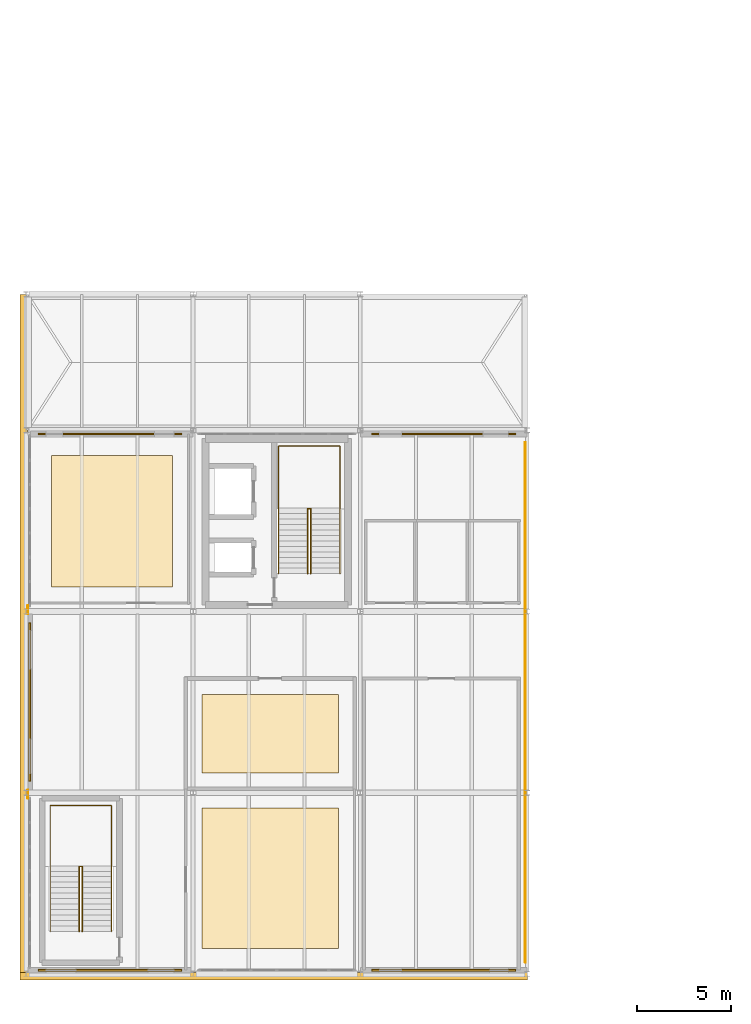
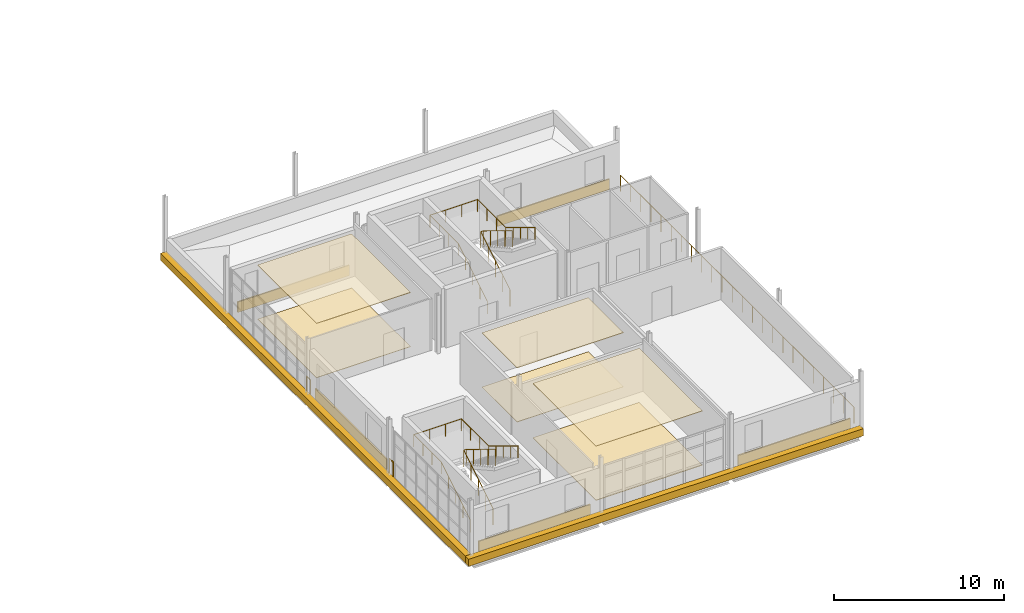
# One storey, part 27 of 28: 13 coverings, 7 railings.
"""IFC4 building model written with IfcOpenShell, lengths in metres."""

import ifcopenshell
import ifcopenshell.guid

model = None  # the IFC model being written
_history = None  # IfcOwnerHistory: only IFC2X3 demands one
_inside = {}  # id of a spatial element -> (the spatial element, [elements in it])
_under = {}  # id of a project, library or spatial element -> (it, [spatial elements below it])
_declared = {}  # id of a project -> (the project, [libraries it declares])
_typed = {}  # id of a type object -> (the type object, [elements of that type])
_made_of = {}  # id of a material, layer set ... -> (it, [elements and type objects made of it])


def new_model(schema):
    """Start an empty IFC model of exactly this schema.

    Asked for "IFC4X3", IfcOpenShell would pick the latest addendum, in which some entities
    have other attributes; the version numbers below select the first issue.
    IFC2X3 requires an IfcOwnerHistory on every rooted entity: one is made here for all.
    """
    global model, _history
    if schema == "IFC4X3":
        model = ifcopenshell.file(schema_version=(4, 3, 0, 0))
    else:
        model = ifcopenshell.file(schema=schema)
    _inside.clear()
    _under.clear()
    _declared.clear()
    _typed.clear()
    _made_of.clear()
    _history = None
    if model.schema == "IFC2X3":
        org = make("IfcOrganization", Name="unknown")
        user = make(
            "IfcPersonAndOrganization",
            ThePerson=make("IfcPerson", FamilyName="unknown"),
            TheOrganization=org,
        )
        app = make(
            "IfcApplication",
            ApplicationDeveloper=org,
            Version="unknown",
            ApplicationFullName="unknown",
            ApplicationIdentifier="unknown",
        )
        _history = make(
            "IfcOwnerHistory",
            OwningUser=user,
            OwningApplication=app,
            ChangeAction="ADDED",
            CreationDate=0,
        )
    return model


def make(cls, **values):
    """One entity of the class cls with the attributes given. An attribute that is None is left unset."""
    return model.create_entity(
        cls, **{name: value for name, value in values.items() if value is not None}
    )


def rooted(cls, **values):
    """An entity with a GlobalId (a new one), such as an element, a storey or a relation."""
    return make(cls, GlobalId=ifcopenshell.guid.new(), OwnerHistory=_history, **values)


def si_unit(unit_type, name, prefix=None):
    """IfcSIUnit, for example si_unit("LENGTHUNIT", "METRE", prefix="MILLI")."""
    return make("IfcSIUnit", UnitType=unit_type, Prefix=prefix, Name=name)


def assignment(units):
    """IfcUnitAssignment: the units of a project."""
    return None if units is None else make("IfcUnitAssignment", Units=units)


def point(xyz):
    """IfcCartesianPoint."""
    return None if xyz is None else make("IfcCartesianPoint", Coordinates=xyz)


def direction(xyz):
    """IfcDirection."""
    return None if xyz is None else make("IfcDirection", DirectionRatios=xyz)


def frame(location, z_axis=None, x_axis=None):
    """IfcAxis2Placement3D, a coordinate frame: its origin and axes. An axis left out is left unset."""
    return make(
        "IfcAxis2Placement3D",
        Location=point(location),
        Axis=direction(z_axis),
        RefDirection=direction(x_axis),
    )


def frame_2d(location, x_axis=None):
    """IfcAxis2Placement2D, a coordinate frame in the plane: its origin and x axis."""
    return make(
        "IfcAxis2Placement2D", Location=point(location), RefDirection=direction(x_axis)
    )


def origin():
    """The frame at (0, 0, 0) with its axes left unset."""
    return frame((0.0, 0.0, 0.0))


def origin_2d():
    """The frame at (0, 0) in the plane with its x axis left unset."""
    return frame_2d((0.0, 0.0))


def place(relative_to, where):
    """IfcLocalPlacement: puts the frame where relative to a parent placement (None: the world)."""
    return make(
        "IfcLocalPlacement", PlacementRelTo=relative_to, RelativePlacement=where
    )


def context(
    kind, dimensions, precision=None, world=None, true_north=None, identifier=None
):
    """IfcGeometricRepresentationContext, for example the 3D "Model" context."""
    return make(
        "IfcGeometricRepresentationContext",
        ContextIdentifier=identifier,
        ContextType=kind,
        CoordinateSpaceDimension=dimensions,
        Precision=precision,
        WorldCoordinateSystem=world,
        TrueNorth=true_north,
    )


def subcontext(parent, identifier, kind, view, scale=None):
    """IfcGeometricRepresentationSubContext, for example "Body" below "Model"."""
    return make(
        "IfcGeometricRepresentationSubContext",
        ContextIdentifier=identifier,
        ContextType=kind,
        ParentContext=parent,
        TargetScale=scale,
        TargetView=view,
    )


def project(units=None, contexts=None):
    """IfcProject with its units and contexts."""
    return rooted(
        "IfcProject",
        Name="project",
        RepresentationContexts=contexts,
        UnitsInContext=assignment(units),
    )


def spatial(cls, under=None, at=None, **own):
    """A site, building, storey or space (cls), placed at a placement, below another one or the project."""
    s = rooted(cls, ObjectPlacement=at, **own)
    if under is not None:
        _under.setdefault(under.id(), (under, []))[1].append(s)
    return s


def polyline(points):
    """IfcPolyline through the points."""
    return make("IfcPolyline", Points=[point(p) for p in points])


def profile(cls, at=None, kind="AREA", **sizes):
    """A parametric profile (cls). Its sizes go by their IFC names, for example OverallWidth=200.0."""
    return make(cls, ProfileType=kind, Position=at, **sizes)


def rectangle(**sizes):
    """IfcRectangleProfileDef."""
    return profile("IfcRectangleProfileDef", **sizes)


def circle(**sizes):
    """IfcCircleProfileDef."""
    return profile("IfcCircleProfileDef", **sizes)


def outline(outer, holes=None, kind="AREA"):
    """IfcArbitraryClosedProfileDef: a profile drawn as a closed curve; with holes, ...WithVoids."""
    if holes is None:
        return make("IfcArbitraryClosedProfileDef", ProfileType=kind, OuterCurve=outer)
    return make(
        "IfcArbitraryProfileDefWithVoids",
        ProfileType=kind,
        OuterCurve=outer,
        InnerCurves=holes,
    )


def extrude(swept, where, along, depth):
    """IfcExtrudedAreaSolid: the profile swept, set in the frame where, extruded along a direction by depth."""
    return make(
        "IfcExtrudedAreaSolid",
        SweptArea=swept,
        Position=where,
        ExtrudedDirection=direction(along),
        Depth=depth,
    )


def shape(context_of_items, identifier, shape_type, items):
    """IfcShapeRepresentation: the items that make up one representation, for example the "Body"."""
    return make(
        "IfcShapeRepresentation",
        ContextOfItems=context_of_items,
        RepresentationIdentifier=identifier,
        RepresentationType=shape_type,
        Items=items,
    )


def material(Name=None, Category=None):
    """IfcMaterial."""
    return make("IfcMaterial", Name=Name, Category=Category)


def layer(
    of_material, thickness, ventilated=None, Name=None, Category=None, Priority=None
):
    """IfcMaterialLayer: one layer of a wall or slab, of a material (None: an air gap)."""
    return make(
        "IfcMaterialLayer",
        Material=of_material,
        LayerThickness=thickness,
        IsVentilated=ventilated,
        Name=Name,
        Category=Category,
        Priority=Priority,
    )


def layer_set(layers, Name=None):
    """IfcMaterialLayerSet."""
    return make("IfcMaterialLayerSet", MaterialLayers=layers, LayerSetName=Name)


def made_of(thing, what):
    """Note that an element or type object is made of a material, layer set ...; save() writes the relation."""
    if what is not None:
        _made_of.setdefault(what.id(), (what, []))[1].append(thing)
    return thing


def type_object(cls, material=None, **own):
    """A type object (cls), such as IfcWallType, which elements share."""
    return made_of(rooted(cls, **own), material)


def element(
    cls,
    number,
    at=None,
    inside=None,
    cuts=None,
    type_object=None,
    material=None,
    context=None,
    identifier="Body",
    shape_type=None,
    held_by="IfcProductDefinitionShape",
    body=None,
    shapes=None,
    **own,
):
    """One element of the class cls, such as IfcWall. Its Tag is "e" and its number.

    at: its placement. inside: the storey or other place that contains it. cuts: it is an
    opening in that element (IfcRelVoidsElement). A single representation is given by context,
    identifier, shape_type and body (its items); several are given by shapes. held_by: the class
    of the entity that holds the representations. save() writes the other relations.
    """
    e = rooted(cls, Tag="e%d" % number, ObjectPlacement=at, **own)
    if body is not None:
        shapes = [shape(context, identifier, shape_type, body)]
    if shapes is not None:
        e.Representation = make(held_by, Representations=shapes)
    if inside is not None:
        _inside.setdefault(inside.id(), (inside, []))[1].append(e)
    if cuts is not None:
        rooted(
            "IfcRelVoidsElement", RelatingBuildingElement=cuts, RelatedOpeningElement=e
        )
    if type_object is not None:
        _typed.setdefault(type_object.id(), (type_object, []))[1].append(e)
    return made_of(e, material)


def aggregate(whole, parts):
    """IfcRelAggregates: a whole, such as a stair, and the parts it consists of."""
    return rooted("IfcRelAggregates", RelatingObject=whole, RelatedObjects=parts)


def save(model, path):
    """Write the relations noted so far, then the file.

    IfcRelAggregates (storeys below a building ...), IfcRelContainedInSpatialStructure (elements
    in a storey), IfcRelDefinesByType, IfcRelAssociatesMaterial and IfcRelDeclares: one each for
    every whole, place, type object, material and project.
    """
    for whole, parts in _under.values():
        aggregate(whole, parts)
    for where, things in _inside.values():
        rooted(
            "IfcRelContainedInSpatialStructure",
            RelatedElements=things,
            RelatingStructure=where,
        )
    for kind, things in _typed.values():
        rooted("IfcRelDefinesByType", RelatedObjects=things, RelatingType=kind)
    for what, things in _made_of.values():
        rooted("IfcRelAssociatesMaterial", RelatedObjects=things, RelatingMaterial=what)
    for by, libraries in _declared.values():
        rooted("IfcRelDeclares", RelatingContext=by, RelatedDefinitions=libraries)
    model.write(path)


model = new_model("IFC4")

# Units and contexts
model_context = context("Model", 3, precision=1e-05, world=origin(), true_north=direction((0.0, 1.0)))
body_context = subcontext(model_context, "Body", "Model", "MODEL_VIEW")
ifc_project = project(units=[si_unit("LENGTHUNIT", "METRE"), si_unit("AREAUNIT", "SQUARE_METRE"), si_unit("VOLUMEUNIT", "CUBIC_METRE"), si_unit("PLANEANGLEUNIT", "RADIAN"), si_unit("MASSUNIT", "GRAM", prefix="KILO")], contexts=[model_context])

# Site, building, storey
site_placement = place(None, origin())
site = spatial("IfcSite", under=ifc_project, at=site_placement, CompositionType="ELEMENT")
building_placement = place(site_placement, origin())
building = spatial("IfcBuilding", under=site, at=building_placement, Name="Yeouljin Market Hall", CompositionType="ELEMENT")
storey_placement = place(building_placement, frame((0.0, 0.0, 15.0)))
storey = spatial("IfcBuildingStorey", under=building, at=storey_placement, Name="L03", CompositionType="ELEMENT", Elevation=15.0)

# Coverings
ifc_material_1 = material(Name="Clinker Brick Masonry F2-S2", Category="masonry")
ifc_layer_1 = layer(ifc_material_1, 0.090087890625)
ifc_layer_set_1 = layer_set([ifc_layer_1], Name="Clinker Brick Masonry F2-S2")
covering_type_1 = type_object("IfcCoveringType", Name="Covering_Brick_FacadeCladding", PredefinedType="CLADDING", material=ifc_layer_set_1)
covering_1_placement = place(storey_placement, frame((22.125, 0.199951171875, 0.074951171875), z_axis=(0.0, 0.0, 1.0), x_axis=(-1.0, 0.0, 0.0)))
element("IfcCovering", 1, at=covering_1_placement, inside=storey, type_object=covering_type_1, Name="Muizentand clinker brick spandrel band L03-01", PredefinedType="CLADDING", context=body_context, shape_type="SweptSolid", body=[
    extrude(rectangle(XDim=7.64990234375, YDim=0.090087890625, at=origin_2d()), origin(), (0.0, 0.0, 1.0), 0.75),
])
covering_2_placement = place(storey_placement, frame((4.449951171875, 0.199951171875, 0.074951171875), z_axis=(0.0, 0.0, 1.0), x_axis=(-1.0, 0.0, 0.0)))
element("IfcCovering", 2, at=covering_2_placement, inside=storey, type_object=covering_type_1, Name="Muizentand clinker brick spandrel band L03-03", PredefinedType="CLADDING", context=body_context, shape_type="SweptSolid", body=[
    extrude(rectangle(XDim=7.60009765625, YDim=0.090087890625, at=origin_2d()), origin(), (0.0, 0.0, 1.0), 0.75),
])
covering_3_placement = place(storey_placement, frame((0.199951171875, 14.39990234375, 0.074951171875), z_axis=(0.0, 0.0, 1.0), x_axis=(0.0, 1.0, 0.0)))
element("IfcCovering", 3, at=covering_3_placement, inside=storey, type_object=covering_type_1, Name="Muizentand clinker brick spandrel band L03-05", PredefinedType="CLADDING", context=body_context, shape_type="SweptSolid", body=[
    extrude(rectangle(XDim=8.39990234375, YDim=0.090087890625, at=origin_2d()), origin(), (0.0, 0.0, 1.0), 0.75),
])
covering_4_placement = place(storey_placement, frame((4.449951171875, 28.60009765625, 0.074951171875), z_axis=(0.0, 0.0, 1.0), x_axis=(1.0, 0.0, 0.0)))
element("IfcCovering", 4, at=covering_4_placement, inside=storey, type_object=covering_type_1, Name="Muizentand clinker brick spandrel band L03-07", PredefinedType="CLADDING", context=body_context, shape_type="SweptSolid", body=[
    extrude(rectangle(XDim=7.60009765625, YDim=0.090087890625, at=origin_2d()), origin(), (0.0, 0.0, 1.0), 0.75),
])
covering_5_placement = place(storey_placement, frame((22.125, 28.60009765625, 0.074951171875), z_axis=(0.0, 0.0, 1.0), x_axis=(1.0, 0.0, 0.0)))
element("IfcCovering", 5, at=covering_5_placement, inside=storey, type_object=covering_type_1, Name="Muizentand clinker brick spandrel band L03-09", PredefinedType="CLADDING", context=body_context, shape_type="SweptSolid", body=[
    extrude(rectangle(XDim=7.64990234375, YDim=0.090087890625, at=origin_2d()), origin(), (0.0, 0.0, 1.0), 0.75),
])
ifc_material_2 = material(Name="Clinker Brick Masonry F2-S2", Category="masonry")
ifc_layer_2 = layer(ifc_material_2, 0.360107421875)
ifc_layer_set_2 = layer_set([ifc_layer_2], Name="Clinker Brick Masonry F2-S2")
covering_type_2 = type_object("IfcCoveringType", Name="Covering_Clinker_SpandrelHood", PredefinedType="CLADDING", material=ifc_layer_set_2)
covering_6_placement = place(storey_placement, frame((0.0, 0.0, -0.35009765625)))
element("IfcCovering", 6, at=covering_6_placement, inside=storey, type_object=covering_type_2, Name="Corbelled brick spandrel hood SW-09", PredefinedType="CLADDING", context=body_context, shape_type="SweptSolid", body=[
    extrude(outline(polyline([(-0.320068359375, -0.320068359375), (26.550048828125, -0.320068359375), (26.550048828125, 0.080078125), (-0.320068359375, 0.080078125), (-0.320068359375, -0.320068359375)])), origin(), (0.0, 0.0, 1.0), 0.52001953125),
])
covering_7_placement = place(storey_placement, frame((0.0, 0.0, -0.35009765625)))
element("IfcCovering", 7, at=covering_7_placement, inside=storey, type_object=covering_type_2, Name="Corbelled brick spandrel hood WW-11", PredefinedType="CLADDING", context=body_context, shape_type="SweptSolid", body=[
    extrude(outline(polyline([(-0.320068359375, 0.0), (0.080078125, 0.0), (0.080078125, 36.0), (-0.320068359375, 36.0), (-0.320068359375, 0.0)])), origin(), (0.0, 0.0, 1.0), 0.52001953125),
])
ifc_material_3 = material(Name="Polished Mineral Terrazzo Flooring")
ifc_layer_3 = layer(ifc_material_3, 0.030029296875)
ifc_layer_set_3 = layer_set([ifc_layer_3], Name="Polished Mineral Terrazzo Flooring")
covering_type_3 = type_object("IfcCoveringType", Name="Covering_Terrazzo_Flooring", PredefinedType="FLOORING", material=ifc_layer_set_3)
covering_8_placement = place(storey_placement, origin())
element("IfcCovering", 8, at=covering_8_placement, inside=storey, type_object=covering_type_3, Name="Polished terrazzo floor finish L03-08", PredefinedType="FLOORING", context=body_context, shape_type="SweptSolid", body=[
    extrude(outline(polyline([(16.550048828125, 10.64990234375), (16.550048828125, 14.800048828125), (9.31005859375, 14.800048828125), (9.31005859375, 10.64990234375), (16.550048828125, 10.64990234375)])), origin(), (0.0, 0.0, 1.0), 0.030029296875),
])
covering_9_placement = place(storey_placement, origin())
element("IfcCovering", 9, at=covering_9_placement, inside=storey, type_object=covering_type_3, Name="Polished terrazzo floor finish L03-09", PredefinedType="FLOORING", context=body_context, shape_type="SweptSolid", body=[
    extrude(outline(polyline([(16.550048828125, 1.35009765625), (16.550048828125, 8.7900390625), (9.31005859375, 8.7900390625), (9.31005859375, 1.35009765625), (16.550048828125, 1.35009765625)])), origin(), (0.0, 0.0, 1.0), 0.030029296875),
])
covering_10_placement = place(storey_placement, origin())
element("IfcCovering", 10, at=covering_10_placement, inside=storey, type_object=covering_type_3, Name="Polished terrazzo floor finish L03-10", PredefinedType="FLOORING", context=body_context, shape_type="SweptSolid", body=[
    extrude(outline(polyline([(7.75, 20.5), (7.75, 27.449951171875), (1.35009765625, 27.449951171875), (1.35009765625, 20.5), (7.75, 20.5)])), origin(), (0.0, 0.0, 1.0), 0.030029296875),
])
ifc_material_4 = material(Name="Perforated Larch Acoustic Ceiling Baffle")
ifc_layer_4 = layer(ifc_material_4, 0.0400390625)
ifc_layer_set_4 = layer_set([ifc_layer_4], Name="Perforated Larch Acoustic Ceiling Baffle")
covering_type_4 = type_object("IfcCoveringType", Name="Covering_TimberAcoustic_Ceiling", PredefinedType="CEILING", material=ifc_layer_set_4)
covering_11_placement = place(storey_placement, frame((0.0, 0.0, 3.89501953125)))
element("IfcCovering", 11, at=covering_11_placement, inside=storey, type_object=covering_type_4, Name="Acoustic larch baffle ceiling L03-08", PredefinedType="CEILING", context=body_context, shape_type="SweptSolid", body=[
    extrude(outline(polyline([(16.550048828125, 10.64990234375), (16.550048828125, 14.800048828125), (9.31005859375, 14.800048828125), (9.31005859375, 10.64990234375), (16.550048828125, 10.64990234375)])), origin(), (0.0, 0.0, 1.0), 0.0400390625),
])
covering_12_placement = place(storey_placement, frame((0.0, 0.0, 3.89501953125)))
element("IfcCovering", 12, at=covering_12_placement, inside=storey, type_object=covering_type_4, Name="Acoustic larch baffle ceiling L03-09", PredefinedType="CEILING", context=body_context, shape_type="SweptSolid", body=[
    extrude(outline(polyline([(16.550048828125, 1.35009765625), (16.550048828125, 8.7900390625), (9.31005859375, 8.7900390625), (9.31005859375, 1.35009765625), (16.550048828125, 1.35009765625)])), origin(), (0.0, 0.0, 1.0), 0.0400390625),
])
covering_13_placement = place(storey_placement, frame((0.0, 0.0, 3.89501953125)))
element("IfcCovering", 13, at=covering_13_placement, inside=storey, type_object=covering_type_4, Name="Acoustic larch baffle ceiling L03-10", PredefinedType="CEILING", context=body_context, shape_type="SweptSolid", body=[
    extrude(outline(polyline([(7.75, 20.5), (7.75, 27.449951171875), (1.35009765625, 27.449951171875), (1.35009765625, 20.5), (7.75, 20.5)])), origin(), (0.0, 0.0, 1.0), 0.0400390625),
])

# Railings
ifc_material_5 = material(Name="Wrought Iron and Bronze Gallery Balustrade")
railing_type_1 = type_object("IfcRailingType", Name="Railing_AtriumBalustrade_1200", PredefinedType="BALUSTRADE", material=ifc_material_5)
for number, where, name in (
    (14, (0.10009765625, 9.300048828125, 0.0), "Gallery & deck edge balustrade L03-279"),
    (15, (0.10009765625, 19.068115234375, 0.0), "Gallery & deck edge balustrade L03-280"),
):
    element("IfcRailing", number, at=place(storey_placement, frame(where)), inside=storey, type_object=railing_type_1, Name=name, PredefinedType="BALUSTRADE", context=body_context, shape_type="SweptSolid", body=[
        extrude(circle(Radius=0.02392578125, at=origin_2d()), frame((0.0, 0.0, 1.17578125), z_axis=(0.0, 1.0, 0.0), x_axis=(-1.0, 0.0, 0.0)), (0.0, 0.0, 1.0), 0.431884765625),
        extrude(circle(Radius=0.02099609375, at=origin_2d()), origin(), (0.0, 0.0, 1.0), 1.15185546875),
        extrude(circle(Radius=0.02099609375, at=origin_2d()), frame((0.0, 0.431884765625, 0.0)), (0.0, 0.0, 1.0), 1.15185546875),
    ])
railing_1_placement = place(storey_placement, frame((26.449951171875, 28.14990234375, 0.0)))
element("IfcRailing", 16, at=railing_1_placement, inside=storey, type_object=railing_type_1, Name="Gallery & deck edge balustrade L03-281", PredefinedType="BALUSTRADE", context=body_context, shape_type="SweptSolid", body=[
    extrude(circle(Radius=0.02392578125, at=origin_2d()), frame((0.0, 0.0, 1.17578125), z_axis=(0.0, -1.0, 0.0), x_axis=(1.0, 0.0, 0.0)), (0.0, 0.0, 1.0), 27.52978515625),
    extrude(circle(Radius=0.02099609375, at=origin_2d()), origin(), (0.0, 0.0, 1.0), 1.15185546875),
    extrude(circle(Radius=0.02099609375, at=origin_2d()), frame((0.0, -1.197021484375, 0.0)), (0.0, 0.0, 1.0), 1.15185546875),
    extrude(circle(Radius=0.02099609375, at=origin_2d()), frame((0.0, -2.393798828125, 0.0)), (0.0, 0.0, 1.0), 1.15185546875),
    extrude(circle(Radius=0.02099609375, at=origin_2d()), frame((0.0, -3.5908203125, 0.0)), (0.0, 0.0, 1.0), 1.15185546875),
    extrude(circle(Radius=0.02099609375, at=origin_2d()), frame((0.0, -4.787841796875, 0.0)), (0.0, 0.0, 1.0), 1.15185546875),
    extrude(circle(Radius=0.02099609375, at=origin_2d()), frame((0.0, -5.984619140625, 0.0)), (0.0, 0.0, 1.0), 1.15185546875),
    extrude(circle(Radius=0.02099609375, at=origin_2d()), frame((0.0, -7.181640625, 0.0)), (0.0, 0.0, 1.0), 1.15185546875),
    extrude(circle(Radius=0.02099609375, at=origin_2d()), frame((0.0, -8.378662109375, 0.0)), (0.0, 0.0, 1.0), 1.15185546875),
    extrude(circle(Radius=0.02099609375, at=origin_2d()), frame((0.0, -9.57568359375, 0.0)), (0.0, 0.0, 1.0), 1.15185546875),
    extrude(circle(Radius=0.02099609375, at=origin_2d()), frame((0.0, -10.7724609375, 0.0)), (0.0, 0.0, 1.0), 1.15185546875),
    extrude(circle(Radius=0.02099609375, at=origin_2d()), frame((0.0, -11.969482421875, 0.0)), (0.0, 0.0, 1.0), 1.15185546875),
    extrude(circle(Radius=0.02099609375, at=origin_2d()), frame((0.0, -13.16650390625, 0.0)), (0.0, 0.0, 1.0), 1.15185546875),
    extrude(circle(Radius=0.02099609375, at=origin_2d()), frame((0.0, -14.36328125, 0.0)), (0.0, 0.0, 1.0), 1.15185546875),
    extrude(circle(Radius=0.02099609375, at=origin_2d()), frame((0.0, -15.560302734375, 0.0)), (0.0, 0.0, 1.0), 1.15185546875),
    extrude(circle(Radius=0.02099609375, at=origin_2d()), frame((0.0, -16.75732421875, 0.0)), (0.0, 0.0, 1.0), 1.15185546875),
    extrude(circle(Radius=0.02099609375, at=origin_2d()), frame((0.0, -17.9541015625, 0.0)), (0.0, 0.0, 1.0), 1.15185546875),
    extrude(circle(Radius=0.02099609375, at=origin_2d()), frame((0.0, -19.151123046875, 0.0)), (0.0, 0.0, 1.0), 1.15185546875),
    extrude(circle(Radius=0.02099609375, at=origin_2d()), frame((0.0, -20.34814453125, 0.0)), (0.0, 0.0, 1.0), 1.15185546875),
    extrude(circle(Radius=0.02099609375, at=origin_2d()), frame((0.0, -21.545166015625, 0.0)), (0.0, 0.0, 1.0), 1.15185546875),
    extrude(circle(Radius=0.02099609375, at=origin_2d()), frame((0.0, -22.741943359375, 0.0)), (0.0, 0.0, 1.0), 1.15185546875),
    extrude(circle(Radius=0.02099609375, at=origin_2d()), frame((0.0, -23.93896484375, 0.0)), (0.0, 0.0, 1.0), 1.15185546875),
    extrude(circle(Radius=0.02099609375, at=origin_2d()), frame((0.0, -25.135986328125, 0.0)), (0.0, 0.0, 1.0), 1.15185546875),
    extrude(circle(Radius=0.02099609375, at=origin_2d()), frame((0.0, -26.332763671875, 0.0)), (0.0, 0.0, 1.0), 1.15185546875),
    extrude(circle(Radius=0.02099609375, at=origin_2d()), frame((0.0, -27.52978515625, 0.0)), (0.0, 0.0, 1.0), 1.15185546875),
])
ifc_material_6 = material(Name="Painted Steel Stair Guardrail", Category="steel")
railing_type_2 = type_object("IfcRailingType", Name="Railing_StairGuard_1200", PredefinedType="GUARDRAIL", material=ifc_material_6)
railing_2_placement = place(storey_placement, frame((14.919921875, 21.199951171875, 0.0)))
element("IfcRailing", 17, at=railing_2_placement, inside=storey, type_object=railing_type_2, Name="Stair ST-C1-L03 inner well guardrail", PredefinedType="GUARDRAIL", context=body_context, shape_type="SweptSolid", body=[
    extrude(circle(Radius=0.02392578125, at=origin_2d()), frame((0.0, 0.0, 1.17578125), z_axis=(0.0, 0.853512346452, 0.521072619175), x_axis=(-1.0, 0.0, 0.0)), (0.0, 0.0, 1.0), 4.0302734375),
    extrude(circle(Radius=0.02392578125, at=origin_2d()), frame((0.0, 3.43994140625, 3.27587890625), z_axis=(1.0, 0.0, 0.0), x_axis=(0.0, 1.0, 0.0)), (0.0, 0.0, 1.0), 0.16015625),
    extrude(circle(Radius=0.02392578125, at=origin_2d()), frame((0.16015625, 3.43994140625, 3.27587890625), z_axis=(0.0, -0.853539286737, 0.521028488661), x_axis=(1.0, 0.0, 0.0)), (0.0, 0.0, 1.0), 4.0302734375),
    extrude(circle(Radius=0.02099609375, at=origin_2d()), origin(), (0.0, 0.0, 1.0), 1.15185546875),
    extrude(circle(Radius=0.02099609375, at=origin_2d()), frame((0.0, 0.85986328125, 0.52490234375)), (0.0, 0.0, 1.0), 1.15185546875),
    extrude(circle(Radius=0.02099609375, at=origin_2d()), frame((0.0, 1.719970703125, 1.050048828125)), (0.0, 0.0, 1.0), 1.15185546875),
    extrude(circle(Radius=0.02099609375, at=origin_2d()), frame((0.0, 2.580078125, 1.5751953125)), (0.0, 0.0, 1.0), 1.15185546875),
    extrude(circle(Radius=0.02099609375, at=origin_2d()), frame((0.0, 3.43994140625, 2.10009765625)), (0.0, 0.0, 1.0), 1.15185546875),
    extrude(circle(Radius=0.02099609375, at=origin_2d()), frame((0.16015625, 3.43994140625, 2.10009765625)), (0.0, 0.0, 1.0), 1.15185546875),
    extrude(circle(Radius=0.02099609375, at=origin_2d()), frame((0.16015625, 2.580078125, 2.625)), (0.0, 0.0, 1.0), 1.15185546875),
    extrude(circle(Radius=0.02099609375, at=origin_2d()), frame((0.16015625, 1.719970703125, 3.14990234375)), (0.0, 0.0, 1.0), 1.15185546875),
    extrude(circle(Radius=0.02099609375, at=origin_2d()), frame((0.16015625, 0.85986328125, 3.675048828125)), (0.0, 0.0, 1.0), 1.15185546875),
    extrude(circle(Radius=0.02099609375, at=origin_2d()), frame((0.16015625, 0.0, 4.199951171875)), (0.0, 0.0, 1.0), 1.15185546875),
])
railing_3_placement = place(storey_placement, frame((2.820068359375, 2.25, 0.0)))
element("IfcRailing", 18, at=railing_3_placement, inside=storey, type_object=railing_type_2, Name="Stair ST-S7-L03 inner well guardrail", PredefinedType="GUARDRAIL", context=body_context, shape_type="SweptSolid", body=[
    extrude(circle(Radius=0.02392578125, at=origin_2d()), frame((0.0, 0.0, 1.17578125), z_axis=(0.0, 0.853512346452, 0.521072619175), x_axis=(-1.0, 0.0, 0.0)), (0.0, 0.0, 1.0), 4.0302734375),
    extrude(circle(Radius=0.02392578125, at=origin_2d()), frame((0.0, 3.43994140625, 3.27587890625), z_axis=(1.0, 0.0, 0.0), x_axis=(0.0, 1.0, 0.0)), (0.0, 0.0, 1.0), 0.159912109375),
    extrude(circle(Radius=0.02392578125, at=origin_2d()), frame((0.159912109375, 3.43994140625, 3.27587890625), z_axis=(0.0, -0.853539286737, 0.521028488661), x_axis=(1.0, 0.0, 0.0)), (0.0, 0.0, 1.0), 4.0302734375),
    extrude(circle(Radius=0.02099609375, at=origin_2d()), origin(), (0.0, 0.0, 1.0), 1.15185546875),
    extrude(circle(Radius=0.02099609375, at=origin_2d()), frame((0.0, 0.85986328125, 0.52490234375)), (0.0, 0.0, 1.0), 1.15185546875),
    extrude(circle(Radius=0.02099609375, at=origin_2d()), frame((0.0, 1.719970703125, 1.050048828125)), (0.0, 0.0, 1.0), 1.15185546875),
    extrude(circle(Radius=0.02099609375, at=origin_2d()), frame((0.0, 2.580078125, 1.5751953125)), (0.0, 0.0, 1.0), 1.15185546875),
    extrude(circle(Radius=0.02099609375, at=origin_2d()), frame((0.0, 3.43994140625, 2.10009765625)), (0.0, 0.0, 1.0), 1.15185546875),
    extrude(circle(Radius=0.02099609375, at=origin_2d()), frame((0.159912109375, 3.43994140625, 2.10009765625)), (0.0, 0.0, 1.0), 1.15185546875),
    extrude(circle(Radius=0.02099609375, at=origin_2d()), frame((0.159912109375, 2.580078125, 2.625)), (0.0, 0.0, 1.0), 1.15185546875),
    extrude(circle(Radius=0.02099609375, at=origin_2d()), frame((0.159912109375, 1.719970703125, 3.14990234375)), (0.0, 0.0, 1.0), 1.15185546875),
    extrude(circle(Radius=0.02099609375, at=origin_2d()), frame((0.159912109375, 0.85986328125, 3.675048828125)), (0.0, 0.0, 1.0), 1.15185546875),
    extrude(circle(Radius=0.02099609375, at=origin_2d()), frame((0.159912109375, 0.0, 4.199951171875)), (0.0, 0.0, 1.0), 1.15185546875),
])
ifc_material_7 = material(Name="Brushed Stainless Steel", Category="steel")
railing_type_3 = type_object("IfcRailingType", Name="Railing_StairHandrail_900", PredefinedType="HANDRAIL", material=ifc_material_7)
railing_4_placement = place(storey_placement, frame((13.3798828125, 21.199951171875, 0.0)))
element("IfcRailing", 19, at=railing_4_placement, inside=storey, type_object=railing_type_3, Name="Stair ST-C1-L03 wall handrail", PredefinedType="HANDRAIL", context=body_context, shape_type="SweptSolid", body=[
    extrude(circle(Radius=0.02392578125, at=origin_2d()), frame((0.0, 0.0, 0.8759765625), z_axis=(0.0, 0.853512346452, 0.521072619175), x_axis=(-1.0, 0.0, 0.0)), (0.0, 0.0, 1.0), 4.0302734375),
    extrude(circle(Radius=0.02392578125, at=origin_2d()), frame((0.0, 3.43994140625, 2.97607421875), z_axis=(0.0, 1.0, 0.0), x_axis=(-1.0, 0.0, 0.0)), (0.0, 0.0, 1.0), 3.330078125),
    extrude(circle(Radius=0.02392578125, at=origin_2d()), frame((0.0, 6.77001953125, 2.97607421875), z_axis=(1.0, 0.0, 0.0), x_axis=(0.0, 1.0, 0.0)), (0.0, 0.0, 1.0), 3.240234375),
    extrude(circle(Radius=0.02392578125, at=origin_2d()), frame((3.240234375, 6.77001953125, 2.97607421875), z_axis=(0.0, -1.0, 0.0), x_axis=(1.0, 0.0, 0.0)), (0.0, 0.0, 1.0), 3.330078125),
    extrude(circle(Radius=0.02392578125, at=origin_2d()), frame((3.240234375, 3.43994140625, 2.97607421875), z_axis=(0.0, -0.853539286737, 0.521028488661), x_axis=(1.0, 0.0, 0.0)), (0.0, 0.0, 1.0), 4.0302734375),
    extrude(circle(Radius=0.02099609375, at=origin_2d()), origin(), (0.0, 0.0, 1.0), 0.851806640625),
    extrude(circle(Radius=0.02099609375, at=origin_2d()), frame((0.0, 0.85986328125, 0.52490234375)), (0.0, 0.0, 1.0), 0.851806640625),
    extrude(circle(Radius=0.02099609375, at=origin_2d()), frame((0.0, 1.719970703125, 1.050048828125)), (0.0, 0.0, 1.0), 0.851806640625),
    extrude(circle(Radius=0.02099609375, at=origin_2d()), frame((0.0, 2.580078125, 1.5751953125)), (0.0, 0.0, 1.0), 0.851806640625),
    extrude(circle(Radius=0.02099609375, at=origin_2d()), frame((0.0, 3.43994140625, 2.10009765625)), (0.0, 0.0, 1.0), 0.851806640625),
    extrude(circle(Radius=0.02099609375, at=origin_2d()), frame((0.0, 4.550048828125, 2.10009765625)), (0.0, 0.0, 1.0), 0.851806640625),
    extrude(circle(Radius=0.02099609375, at=origin_2d()), frame((0.0, 5.659912109375, 2.10009765625)), (0.0, 0.0, 1.0), 0.851806640625),
    extrude(circle(Radius=0.02099609375, at=origin_2d()), frame((0.0, 6.77001953125, 2.10009765625)), (0.0, 0.0, 1.0), 0.851806640625),
    extrude(circle(Radius=0.02099609375, at=origin_2d()), frame((1.080078125, 6.77001953125, 2.10009765625)), (0.0, 0.0, 1.0), 0.851806640625),
    extrude(circle(Radius=0.02099609375, at=origin_2d()), frame((2.16015625, 6.77001953125, 2.10009765625)), (0.0, 0.0, 1.0), 0.851806640625),
    extrude(circle(Radius=0.02099609375, at=origin_2d()), frame((3.240234375, 6.77001953125, 2.10009765625)), (0.0, 0.0, 1.0), 0.851806640625),
    extrude(circle(Radius=0.02099609375, at=origin_2d()), frame((3.240234375, 5.659912109375, 2.10009765625)), (0.0, 0.0, 1.0), 0.851806640625),
    extrude(circle(Radius=0.02099609375, at=origin_2d()), frame((3.240234375, 4.550048828125, 2.10009765625)), (0.0, 0.0, 1.0), 0.851806640625),
    extrude(circle(Radius=0.02099609375, at=origin_2d()), frame((3.240234375, 3.43994140625, 2.10009765625)), (0.0, 0.0, 1.0), 0.851806640625),
    extrude(circle(Radius=0.02099609375, at=origin_2d()), frame((3.240234375, 2.580078125, 2.625)), (0.0, 0.0, 1.0), 0.851806640625),
    extrude(circle(Radius=0.02099609375, at=origin_2d()), frame((3.240234375, 1.719970703125, 3.14990234375)), (0.0, 0.0, 1.0), 0.851806640625),
    extrude(circle(Radius=0.02099609375, at=origin_2d()), frame((3.240234375, 0.85986328125, 3.675048828125)), (0.0, 0.0, 1.0), 0.851806640625),
    extrude(circle(Radius=0.02099609375, at=origin_2d()), frame((3.240234375, 0.0, 4.199951171875)), (0.0, 0.0, 1.0), 0.851806640625),
])
railing_5_placement = place(storey_placement, frame((1.280029296875, 2.25, 0.0)))
element("IfcRailing", 20, at=railing_5_placement, inside=storey, type_object=railing_type_3, Name="Stair ST-S7-L03 wall handrail", PredefinedType="HANDRAIL", context=body_context, shape_type="SweptSolid", body=[
    extrude(circle(Radius=0.02392578125, at=origin_2d()), frame((0.0, 0.0, 0.8759765625), z_axis=(0.0, 0.853512346452, 0.521072619175), x_axis=(-1.0, 0.0, 0.0)), (0.0, 0.0, 1.0), 4.0302734375),
    extrude(circle(Radius=0.02392578125, at=origin_2d()), frame((0.0, 3.43994140625, 2.97607421875), z_axis=(0.0, 1.0, 0.0), x_axis=(-1.0, 0.0, 0.0)), (0.0, 0.0, 1.0), 3.22998046875),
    extrude(circle(Radius=0.02392578125, at=origin_2d()), frame((0.0, 6.669921875, 2.97607421875), z_axis=(1.0, 0.0, 0.0), x_axis=(0.0, 1.0, 0.0)), (0.0, 0.0, 1.0), 3.239990234375),
    extrude(circle(Radius=0.02392578125, at=origin_2d()), frame((3.239990234375, 6.669921875, 2.97607421875), z_axis=(0.0, -1.0, 0.0), x_axis=(1.0, 0.0, 0.0)), (0.0, 0.0, 1.0), 3.22998046875),
    extrude(circle(Radius=0.02392578125, at=origin_2d()), frame((3.239990234375, 3.43994140625, 2.97607421875), z_axis=(0.0, -0.853539286737, 0.521028488661), x_axis=(1.0, 0.0, 0.0)), (0.0, 0.0, 1.0), 4.0302734375),
    extrude(circle(Radius=0.02099609375, at=origin_2d()), origin(), (0.0, 0.0, 1.0), 0.851806640625),
    extrude(circle(Radius=0.02099609375, at=origin_2d()), frame((0.0, 0.85986328125, 0.52490234375)), (0.0, 0.0, 1.0), 0.851806640625),
    extrude(circle(Radius=0.02099609375, at=origin_2d()), frame((0.0, 1.719970703125, 1.050048828125)), (0.0, 0.0, 1.0), 0.851806640625),
    extrude(circle(Radius=0.02099609375, at=origin_2d()), frame((0.0, 2.580078125, 1.5751953125)), (0.0, 0.0, 1.0), 0.851806640625),
    extrude(circle(Radius=0.02099609375, at=origin_2d()), frame((0.0, 3.43994140625, 2.10009765625)), (0.0, 0.0, 1.0), 0.851806640625),
    extrude(circle(Radius=0.02099609375, at=origin_2d()), frame((0.0, 4.5166015625, 2.10009765625)), (0.0, 0.0, 1.0), 0.851806640625),
    extrude(circle(Radius=0.02099609375, at=origin_2d()), frame((0.0, 5.59326171875, 2.10009765625)), (0.0, 0.0, 1.0), 0.851806640625),
    extrude(circle(Radius=0.02099609375, at=origin_2d()), frame((0.0, 6.669921875, 2.10009765625)), (0.0, 0.0, 1.0), 0.851806640625),
    extrude(circle(Radius=0.02099609375, at=origin_2d()), frame((1.080078125, 6.669921875, 2.10009765625)), (0.0, 0.0, 1.0), 0.851806640625),
    extrude(circle(Radius=0.02099609375, at=origin_2d()), frame((2.159912109375, 6.669921875, 2.10009765625)), (0.0, 0.0, 1.0), 0.851806640625),
    extrude(circle(Radius=0.02099609375, at=origin_2d()), frame((3.239990234375, 6.669921875, 2.10009765625)), (0.0, 0.0, 1.0), 0.851806640625),
    extrude(circle(Radius=0.02099609375, at=origin_2d()), frame((3.239990234375, 5.59326171875, 2.10009765625)), (0.0, 0.0, 1.0), 0.851806640625),
    extrude(circle(Radius=0.02099609375, at=origin_2d()), frame((3.239990234375, 4.5166015625, 2.10009765625)), (0.0, 0.0, 1.0), 0.851806640625),
    extrude(circle(Radius=0.02099609375, at=origin_2d()), frame((3.239990234375, 3.43994140625, 2.10009765625)), (0.0, 0.0, 1.0), 0.851806640625),
    extrude(circle(Radius=0.02099609375, at=origin_2d()), frame((3.239990234375, 2.580078125, 2.625)), (0.0, 0.0, 1.0), 0.851806640625),
    extrude(circle(Radius=0.02099609375, at=origin_2d()), frame((3.239990234375, 1.719970703125, 3.14990234375)), (0.0, 0.0, 1.0), 0.851806640625),
    extrude(circle(Radius=0.02099609375, at=origin_2d()), frame((3.239990234375, 0.85986328125, 3.675048828125)), (0.0, 0.0, 1.0), 0.851806640625),
    extrude(circle(Radius=0.02099609375, at=origin_2d()), frame((3.239990234375, 0.0, 4.199951171875)), (0.0, 0.0, 1.0), 0.851806640625),
])

save(model, "model.ifc")
